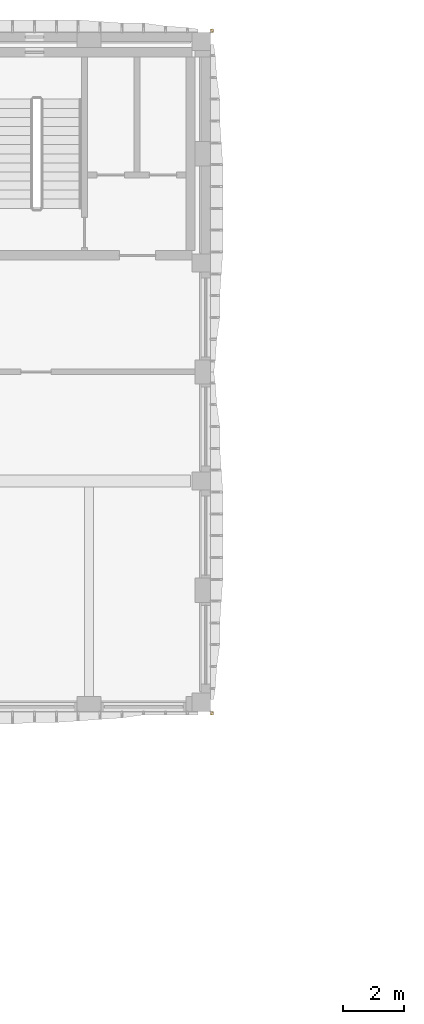
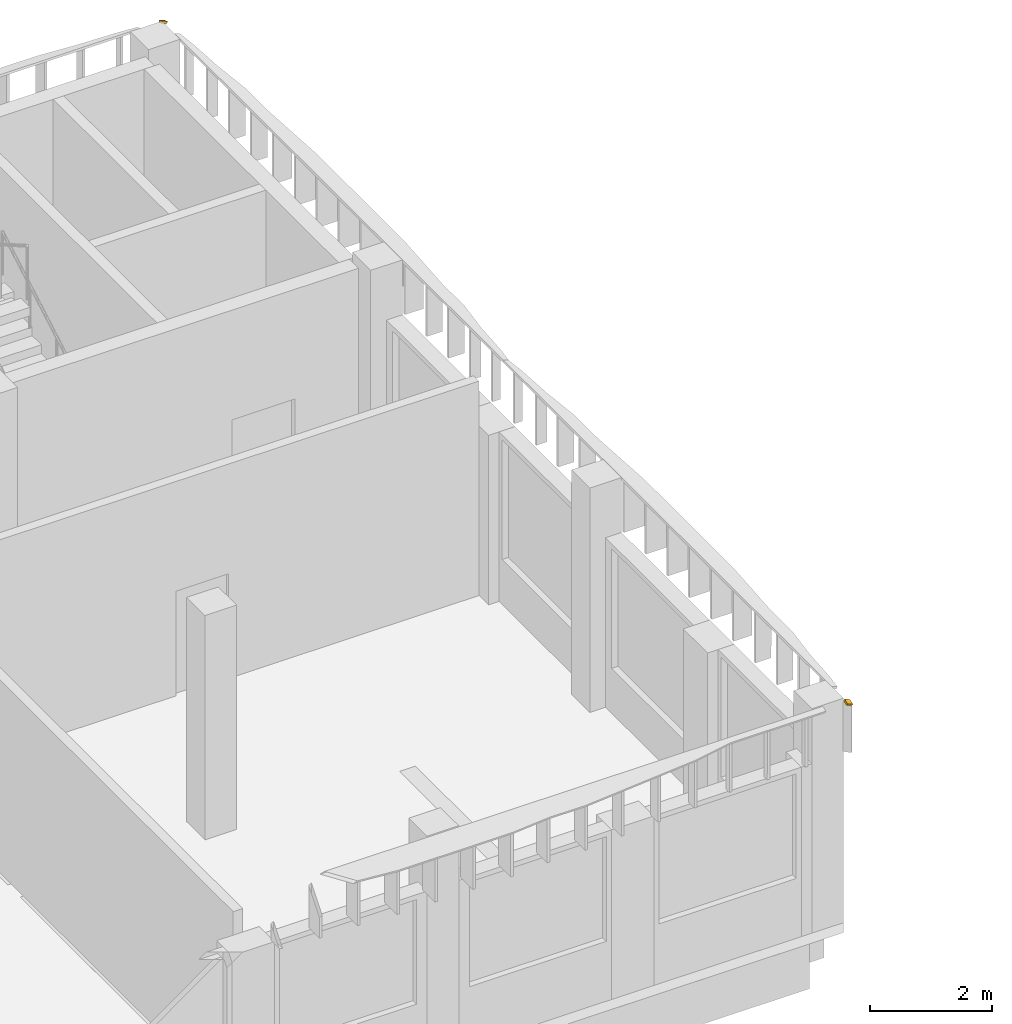
# One storey, part 44 of 44: 2 shading devices.
"""IFC4 building model written with IfcOpenShell, lengths in metres."""

from ifc_helpers import new_model, si_unit, direction, frame, origin, place, context, subcontext, project, spatial, polyline, outline, extrude, material, layer, layer_set, type_object, element, save


model = new_model("IFC4")

# Units and contexts
model_context = context("Model", 3, precision=1e-05, world=origin(), true_north=direction((0.0, 1.0)))
body_context = subcontext(model_context, "Body", "Model", "MODEL_VIEW")
ifc_project = project(units=[si_unit("LENGTHUNIT", "METRE"), si_unit("AREAUNIT", "SQUARE_METRE"), si_unit("VOLUMEUNIT", "CUBIC_METRE"), si_unit("PLANEANGLEUNIT", "RADIAN"), si_unit("MASSUNIT", "GRAM", prefix="KILO")], contexts=[model_context])

# Site, building, storey
site_placement = place(None, origin())
site = spatial("IfcSite", under=ifc_project, at=site_placement, CompositionType="ELEMENT")
building_placement = place(site_placement, origin())
building = spatial("IfcBuilding", under=site, at=building_placement, Name="Ussher Court Research Institute", CompositionType="ELEMENT")
storey_placement = place(building_placement, frame((0.0, 0.0, 18.89990234375)))
storey = spatial("IfcBuildingStorey", under=building, at=storey_placement, Name="L04", CompositionType="ELEMENT", Elevation=18.89990234375)

# Shading devices
ifc_material = material(Name="Bronze anodised aluminium", Category="aluminium")
ifc_layer = layer(ifc_material, 0.0400390625)
ifc_layer_set = layer_set([ifc_layer], Name="Bronze anodised aluminium")
shading_device_type = type_object("IfcShadingDeviceType", Name="Brim visor sheet 40 mm canted 20 deg dry", PredefinedType="USERDEFINED", material=ifc_layer_set)
shading_device_1_placement = place(storey_placement, frame((82.61279296875, 90.81298828125, 4.485595703125), z_axis=(0.323142227815, 0.323932306611, 0.889183311436), x_axis=(0.939860335167, 0.0, -0.341558999853)))
element("IfcShadingDevice", 1, at=shading_device_1_placement, inside=storey, type_object=shading_device_type, Name="Brim visor sheet BR2 L04", ObjectType="BRIM", PredefinedType="USERDEFINED", context=body_context, shape_type="SweptSolid", body=[
    extrude(outline(polyline([(0.0, 0.0), (0.10650269247958763, 0.0), (0.11892756820666907, 0.10554444449850095), (0.01242487572708144, 0.10554444449850096), (0.0, 0.0)])), origin(), (0.0, 0.0, -1.0), 0.0400390625),
])
shading_device_2_placement = place(storey_placement, frame((82.61279296875, 68.38720703125, 4.485595703125), z_axis=(0.323224861095, -0.323224861095, 0.889410691604), x_axis=(0.0, -0.939860335167, -0.341558999853)))
element("IfcShadingDevice", 2, at=shading_device_2_placement, inside=storey, type_object=shading_device_type, Name="Brim visor sheet BR2 L04", ObjectType="BRIM", PredefinedType="USERDEFINED", context=body_context, shape_type="SweptSolid", body=[
    extrude(outline(polyline([(0.0, 0.0), (0.10650269247958763, -1.734723475976807e-18), (0.11892756820666907, 0.10577545068950636), (0.01242487572708144, 0.10577545068950638), (0.0, 0.0)])), origin(), (0.0, 0.0, -1.0), 0.0400390625),
])

save(model, "model.ifc")
